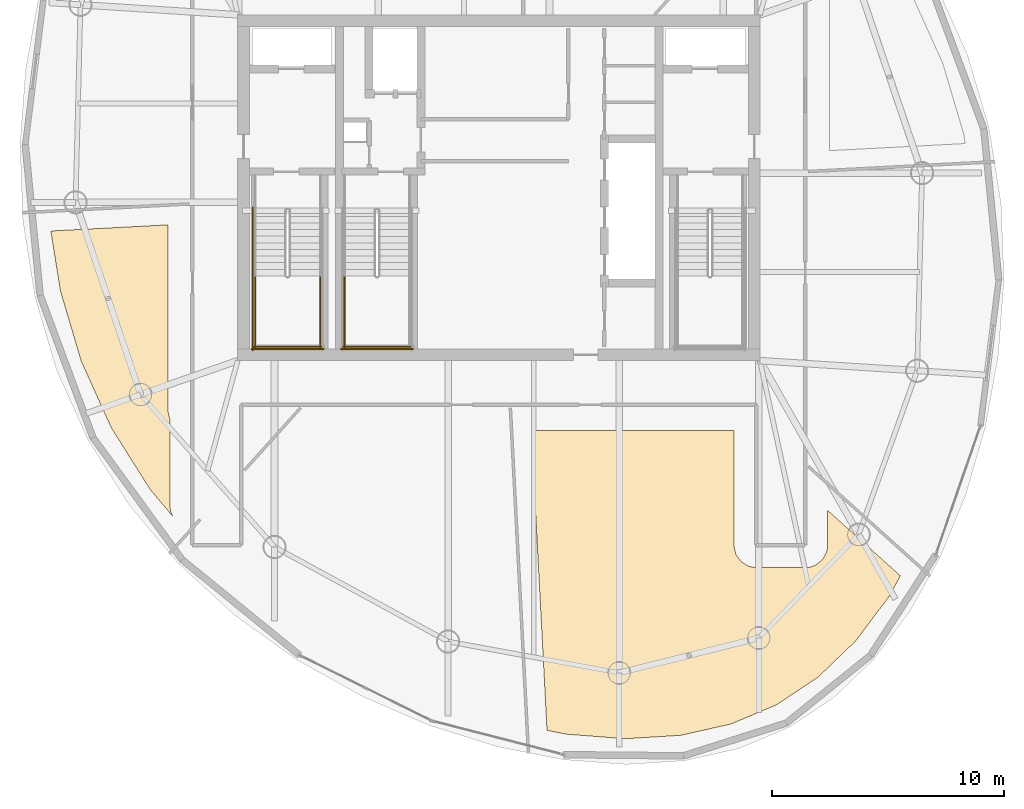
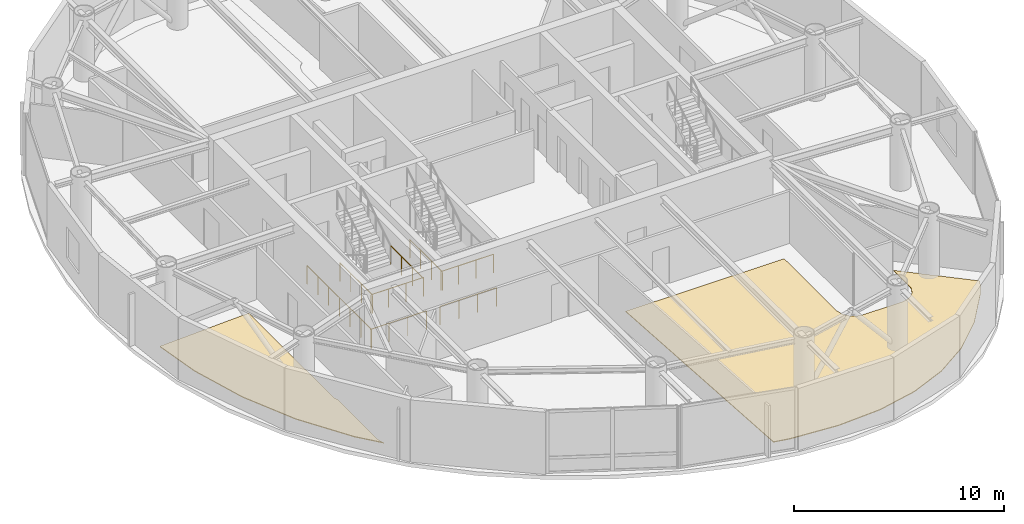
# One storey, part 15 of 17: 8 railings, 2 coverings.
"""IFC4 building model written with IfcOpenShell, lengths in metres."""

from ifc_helpers import new_model, si_unit, direction, frame, origin, origin_2d, place, context, subcontext, project, spatial, polyline, circle, outline, extrude, material, layer, layer_set, type_object, element, save


model = new_model("IFC4")

# Units and contexts
model_context = context("Model", 3, precision=1e-05, world=origin(), true_north=direction((0.0, 1.0)))
body_context = subcontext(model_context, "Body", "Model", "MODEL_VIEW")
ifc_project = project(units=[si_unit("LENGTHUNIT", "METRE"), si_unit("AREAUNIT", "SQUARE_METRE"), si_unit("VOLUMEUNIT", "CUBIC_METRE"), si_unit("PLANEANGLEUNIT", "RADIAN"), si_unit("MASSUNIT", "GRAM", prefix="KILO")], contexts=[model_context])

# Site, building, storey
site_placement = place(None, origin())
site = spatial("IfcSite", under=ifc_project, at=site_placement, CompositionType="ELEMENT")
building_placement = place(site_placement, origin())
building = spatial("IfcBuilding", under=site, at=building_placement, Name="Bramvorn Convention Spire", CompositionType="ELEMENT")
storey_placement = place(building_placement, frame((0.0, 0.0, 280.550048828125)))
storey = spatial("IfcBuildingStorey", under=building, at=storey_placement, Name="L71", CompositionType="ELEMENT", Elevation=280.550048828125)

# Coverings
ifc_material_1 = material(Name="Calcium-Sulphate Raised Access Office Floor", Category="steel")
ifc_layer = layer(ifc_material_1, 0.044921875)
ifc_layer_set = layer_set([ifc_layer], Name="Calcium-Sulphate Raised Access Office Floor - FLR-RAISED-45")
covering_type = type_object("IfcCoveringType", Name="FLR-RAISED-45", PredefinedType="FLOORING", material=ifc_layer_set)
covering_1_placement = place(storey_placement, origin())
element("IfcCovering", 1, at=covering_1_placement, inside=storey, type_object=covering_type, Name="L71 Galley Kitchen 5 raised floor finish", PredefinedType="FLOORING", context=body_context, shape_type="SweptSolid", body=[
    extrude(outline(polyline([(19.111328125, 21.558349609375), (20.00634765625, 18.5322265625), (21.2998046875, 15.664306640625), (22.977294921875, 13.0029296875), (23.949951171875, 11.8447265625), (23.86181640625, 12.064453125), (23.8310546875, 12.267333984375), (23.830078125, 16.04248046875), (23.766357421875, 16.234130859375), (23.75, 16.39990234375), (23.75, 24.402099609375), (18.69921875, 24.13720703125), (19.111328125, 21.558349609375)])), origin(), (0.0, 0.0, 1.0), 0.044921875),
])
covering_2_placement = place(storey_placement, origin())
element("IfcCovering", 2, at=covering_2_placement, inside=storey, type_object=covering_type, Name="L71 Server & Tape Store 7 raised floor finish", PredefinedType="FLOORING", context=body_context, shape_type="SweptSolid", body=[
    extrude(outline(polyline([(43.45703125, 2.26123046875), (45.83154296875, 2.40673828125), (48.00146484375, 2.894287109375), (49.968505859375, 3.7255859375), (51.747314453125, 4.906982421875), (53.3515625, 6.447509765625), (54.783447265625, 8.34716796875), (55.3017578125, 9.277587890625), (52.169921875, 12.097412109375), (52.169921875, 10.60009765625), (52.14208984375, 10.3701171875), (51.982421875, 10.027099609375), (51.693603515625, 9.76513671875), (51.44140625, 9.66064453125), (51.25341796875, 9.631591796875), (49.058349609375, 9.631103515625), (48.767578125, 9.688720703125), (48.452880859375, 9.87744140625), (48.225830078125, 10.179931640625), (48.131591796875, 10.54638671875), (48.1298828125, 15.550048828125), (39.398681640625, 15.550048828125), (40.076416015625, 2.62060546875), (40.8984375, 2.45751953125), (43.45703125, 2.26123046875)])), origin(), (0.0, 0.0, 1.0), 0.044921875),
])

# Railings
ifc_material_2 = material(Name="Painted Steel Balustrade & Guardrail", Category="steel")
railing_type = type_object("IfcRailingType", Name="RL-STAIR-GUARD-1100", PredefinedType="GUARDRAIL", material=ifc_material_2)
for number, where, name in (
    (3, (27.5, 22.199951171875, 1.925048828125), "L71 ST1 stair guard 3"),
    (4, (30.300048828125, 22.199951171875, 1.925048828125), "L71 ST1 stair guard 4"),
):
    element("IfcRailing", number, at=place(storey_placement, frame(where)), inside=storey, type_object=railing_type, Name=name, PredefinedType="GUARDRAIL", context=body_context, shape_type="SweptSolid", body=[
        extrude(circle(Radius=0.02392578125, at=origin_2d()), frame((0.0, 0.0, 1.076171875), z_axis=(0.0, -1.0, 0.0), x_axis=(1.0, 0.0, 0.0)), (0.0, 0.0, 1.0), 3.099853515625),
        extrude(circle(Radius=0.02099609375, at=origin_2d()), origin(), (0.0, 0.0, 1.0), 1.052001953125),
        extrude(circle(Radius=0.02099609375, at=origin_2d()), frame((0.0, -1.033203125, 0.0)), (0.0, 0.0, 1.0), 1.052001953125),
        extrude(circle(Radius=0.02099609375, at=origin_2d()), frame((0.0, -2.066650390625, 0.0)), (0.0, 0.0, 1.0), 1.052001953125),
        extrude(circle(Radius=0.02099609375, at=origin_2d()), frame((0.0, -3.099853515625, 0.0)), (0.0, 0.0, 1.0), 1.052001953125),
    ])
railing_1_placement = place(storey_placement, frame((27.449951171875, 19.14990234375, 1.925048828125)))
element("IfcRailing", 5, at=railing_1_placement, inside=storey, type_object=railing_type, Name="L71 ST1 stair guard 5", PredefinedType="GUARDRAIL", context=body_context, shape_type="SweptSolid", body=[
    extrude(circle(Radius=0.02392578125, at=origin_2d()), frame((0.0, 0.0, 1.076171875), z_axis=(1.0, 0.0, 0.0), x_axis=(0.0, 1.0, 0.0)), (0.0, 0.0, 1.0), 2.900146484375),
    extrude(circle(Radius=0.02099609375, at=origin_2d()), origin(), (0.0, 0.0, 1.0), 1.052001953125),
    extrude(circle(Radius=0.02099609375, at=origin_2d()), frame((0.966796875, 0.0, 0.0)), (0.0, 0.0, 1.0), 1.052001953125),
    extrude(circle(Radius=0.02099609375, at=origin_2d()), frame((1.933349609375, 0.0, 0.0)), (0.0, 0.0, 1.0), 1.052001953125),
    extrude(circle(Radius=0.02099609375, at=origin_2d()), frame((2.900146484375, 0.0, 0.0)), (0.0, 0.0, 1.0), 1.052001953125),
])
railing_2_placement = place(storey_placement, frame((27.39990234375, 25.14990234375, 0.0)))
element("IfcRailing", 6, at=railing_2_placement, inside=storey, type_object=railing_type, Name="L71 ST1 stair guard 10", PredefinedType="GUARDRAIL", context=body_context, shape_type="SweptSolid", body=[
    extrude(circle(Radius=0.02392578125, at=origin_2d()), frame((0.0, 0.0, 1.076171875), z_axis=(0.0, -1.0, 0.0), x_axis=(1.0, 0.0, 0.0)), (0.0, 0.0, 1.0), 6.14990234375),
    extrude(circle(Radius=0.02099609375, at=origin_2d()), origin(), (0.0, 0.0, 1.0), 1.052001953125),
    extrude(circle(Radius=0.02099609375, at=origin_2d()), frame((0.0, -1.02490234375, 0.0)), (0.0, 0.0, 1.0), 1.052001953125),
    extrude(circle(Radius=0.02099609375, at=origin_2d()), frame((0.0, -2.050048828125, 0.0)), (0.0, 0.0, 1.0), 1.052001953125),
    extrude(circle(Radius=0.02099609375, at=origin_2d()), frame((0.0, -3.074951171875, 0.0)), (0.0, 0.0, 1.0), 1.052001953125),
    extrude(circle(Radius=0.02099609375, at=origin_2d()), frame((0.0, -4.099853515625, 0.0)), (0.0, 0.0, 1.0), 1.052001953125),
    extrude(circle(Radius=0.02099609375, at=origin_2d()), frame((0.0, -5.125, 0.0)), (0.0, 0.0, 1.0), 1.052001953125),
    extrude(circle(Radius=0.02099609375, at=origin_2d()), frame((0.0, -6.14990234375, 0.0)), (0.0, 0.0, 1.0), 1.052001953125),
])
railing_3_placement = place(storey_placement, frame((27.35009765625, 19.050048828125, 0.0)))
element("IfcRailing", 7, at=railing_3_placement, inside=storey, type_object=railing_type, Name="L71 ST1 stair guard 12", PredefinedType="GUARDRAIL", context=body_context, shape_type="SweptSolid", body=[
    extrude(circle(Radius=0.02392578125, at=origin_2d()), frame((0.0, 0.0, 1.076171875), z_axis=(1.0, 0.0, 0.0), x_axis=(0.0, 1.0, 0.0)), (0.0, 0.0, 1.0), 3.099853515625),
    extrude(circle(Radius=0.02099609375, at=origin_2d()), origin(), (0.0, 0.0, 1.0), 1.052001953125),
    extrude(circle(Radius=0.02099609375, at=origin_2d()), frame((1.033203125, 0.0, 0.0)), (0.0, 0.0, 1.0), 1.052001953125),
    extrude(circle(Radius=0.02099609375, at=origin_2d()), frame((2.066650390625, 0.0, 0.0)), (0.0, 0.0, 1.0), 1.052001953125),
    extrude(circle(Radius=0.02099609375, at=origin_2d()), frame((3.099853515625, 0.0, 0.0)), (0.0, 0.0, 1.0), 1.052001953125),
])
railing_4_placement = place(storey_placement, frame((31.35009765625, 22.199951171875, 1.925048828125)))
element("IfcRailing", 8, at=railing_4_placement, inside=storey, type_object=railing_type, Name="L71 ST3 stair guard 3", PredefinedType="GUARDRAIL", context=body_context, shape_type="SweptSolid", body=[
    extrude(circle(Radius=0.02392578125, at=origin_2d()), frame((0.0, 0.0, 1.076171875), z_axis=(0.0, -1.0, 0.0), x_axis=(1.0, 0.0, 0.0)), (0.0, 0.0, 1.0), 3.099853515625),
    extrude(circle(Radius=0.02099609375, at=origin_2d()), origin(), (0.0, 0.0, 1.0), 1.052001953125),
    extrude(circle(Radius=0.02099609375, at=origin_2d()), frame((0.0, -1.033203125, 0.0)), (0.0, 0.0, 1.0), 1.052001953125),
    extrude(circle(Radius=0.02099609375, at=origin_2d()), frame((0.0, -2.066650390625, 0.0)), (0.0, 0.0, 1.0), 1.052001953125),
    extrude(circle(Radius=0.02099609375, at=origin_2d()), frame((0.0, -3.099853515625, 0.0)), (0.0, 0.0, 1.0), 1.052001953125),
])
railing_5_placement = place(storey_placement, frame((31.300048828125, 19.14990234375, 1.925048828125)))
element("IfcRailing", 9, at=railing_5_placement, inside=storey, type_object=railing_type, Name="L71 ST3 stair guard 5", PredefinedType="GUARDRAIL", context=body_context, shape_type="SweptSolid", body=[
    extrude(circle(Radius=0.02392578125, at=origin_2d()), frame((0.0, 0.0, 1.076171875), z_axis=(1.0, 0.0, 0.0), x_axis=(0.0, 1.0, 0.0)), (0.0, 0.0, 1.0), 2.89990234375),
    extrude(circle(Radius=0.02099609375, at=origin_2d()), origin(), (0.0, 0.0, 1.0), 1.052001953125),
    extrude(circle(Radius=0.02099609375, at=origin_2d()), frame((0.966552734375, 0.0, 0.0)), (0.0, 0.0, 1.0), 1.052001953125),
    extrude(circle(Radius=0.02099609375, at=origin_2d()), frame((1.933349609375, 0.0, 0.0)), (0.0, 0.0, 1.0), 1.052001953125),
    extrude(circle(Radius=0.02099609375, at=origin_2d()), frame((2.89990234375, 0.0, 0.0)), (0.0, 0.0, 1.0), 1.052001953125),
])
railing_6_placement = place(storey_placement, frame((31.199951171875, 19.050048828125, 0.0)))
element("IfcRailing", 10, at=railing_6_placement, inside=storey, type_object=railing_type, Name="L71 ST3 stair guard 12", PredefinedType="GUARDRAIL", context=body_context, shape_type="SweptSolid", body=[
    extrude(circle(Radius=0.02392578125, at=origin_2d()), frame((0.0, 0.0, 1.076171875), z_axis=(1.0, 0.0, 0.0), x_axis=(0.0, 1.0, 0.0)), (0.0, 0.0, 1.0), 3.10009765625),
    extrude(circle(Radius=0.02099609375, at=origin_2d()), origin(), (0.0, 0.0, 1.0), 1.052001953125),
    extrude(circle(Radius=0.02099609375, at=origin_2d()), frame((1.033447265625, 0.0, 0.0)), (0.0, 0.0, 1.0), 1.052001953125),
    extrude(circle(Radius=0.02099609375, at=origin_2d()), frame((2.066650390625, 0.0, 0.0)), (0.0, 0.0, 1.0), 1.052001953125),
    extrude(circle(Radius=0.02099609375, at=origin_2d()), frame((3.10009765625, 0.0, 0.0)), (0.0, 0.0, 1.0), 1.052001953125),
])

save(model, "model.ifc")
